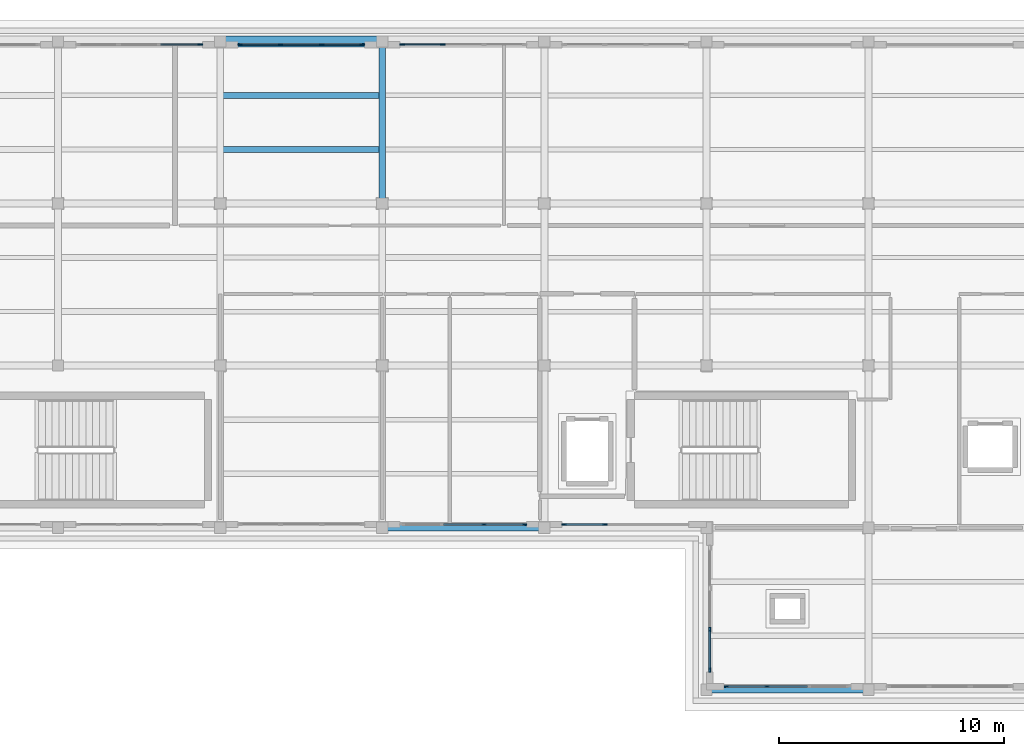
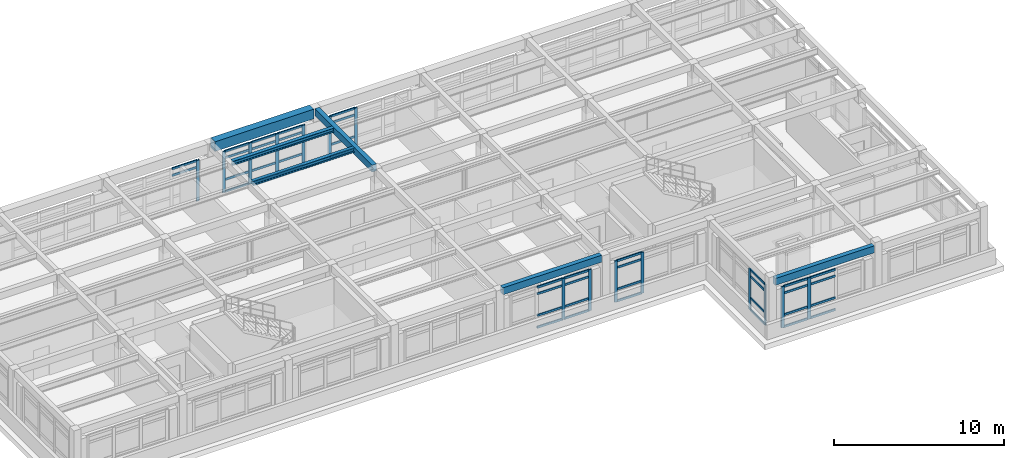
# One storey, part 5 of 18: 57 members, 6 beams, 7 elements without a shape of their own.
"""IFC4 building model written with IfcOpenShell, lengths in metres."""

from ifc_helpers import new_model, si_unit, direction, frame, origin, origin_2d, place, context, subcontext, project, spatial, rectangle, i_section, extrude, material, layer, layer_set, material_profile, profile_set, type_object, element, aggregate, save


model = new_model("IFC4")

# Units and contexts
model_context = context("Model", 3, precision=1e-05, world=origin(), true_north=direction((0.0, 1.0)))
body_context = subcontext(model_context, "Body", "Model", "MODEL_VIEW")
ifc_project = project(units=[si_unit("LENGTHUNIT", "METRE"), si_unit("AREAUNIT", "SQUARE_METRE"), si_unit("VOLUMEUNIT", "CUBIC_METRE"), si_unit("PLANEANGLEUNIT", "RADIAN"), si_unit("MASSUNIT", "GRAM", prefix="KILO")], contexts=[model_context])

# Site, building, storey
site_placement = place(None, origin())
site = spatial("IfcSite", under=ifc_project, at=site_placement, CompositionType="ELEMENT")
building_placement = place(site_placement, origin())
building = spatial("IfcBuilding", under=site, at=building_placement, Name="Solenvale Faculty of Natural Sciences", CompositionType="ELEMENT")
storey_placement = place(building_placement, frame((0.0, 0.0, 43.800048828125)))
storey = spatial("IfcBuildingStorey", under=building, at=storey_placement, Name="L10", CompositionType="ELEMENT", Elevation=43.800048828125)

# Beams
ifc_material_1 = material(Name="Concrete 40 MPa", Category="concrete")
ifc_material_profile_1 = material_profile(ifc_material_1, rectangle(XDim=0.300048828125, YDim=0.5, at=origin_2d()), Name="RC-BM-300x500")
ifc_profile_set_1 = profile_set([ifc_material_profile_1], Name="Concrete 40 MPa")
beam_type_1 = type_object("IfcBeamType", Name="BM-RC-300x500", PredefinedType="BEAM", material=ifc_profile_set_1)
beam_1_placement = place(storey_placement, frame((137.030029296875, 86.39990234375, 3.669921875), z_axis=(1.0, 0.0, 0.0), x_axis=(0.0, 1.0, 0.0)))
element("IfcBeam", 1, at=beam_1_placement, inside=storey, type_object=beam_type_1, Name="L10 X-Girder Y86.4 (136.8..144.0)", PredefinedType="BEAM", context=body_context, shape_type="SweptSolid", body=[
    extrude(rectangle(XDim=0.300048828125, YDim=0.5, at=origin_2d()), origin(), (0.0, 0.0, 1.0), 6.739990234375),
])
beam_2_placement = place(storey_placement, frame((122.6298828125, 93.60009765625, 3.669921875), z_axis=(1.0, 0.0, 0.0), x_axis=(0.0, 1.0, 0.0)))
element("IfcBeam", 2, at=beam_2_placement, inside=storey, type_object=beam_type_1, Name="L10 X-Girder Y93.6 (122.4..129.6)", PredefinedType="BEAM", context=body_context, shape_type="SweptSolid", body=[
    extrude(rectangle(XDim=0.300048828125, YDim=0.5, at=origin_2d()), origin(), (0.0, 0.0, 1.0), 6.740234375),
])
beam_3_placement = place(storey_placement, frame((122.39990234375, 108.22998046875, 3.669921875), z_axis=(0.0, 1.0, 0.0), x_axis=(-1.0, 0.0, 0.0)))
element("IfcBeam", 3, at=beam_3_placement, inside=storey, type_object=beam_type_1, Name="L10 Y-Girder X122.4 (108.0..115.2)", PredefinedType="BEAM", context=body_context, shape_type="SweptSolid", body=[
    extrude(rectangle(XDim=0.300048828125, YDim=0.5, at=origin_2d()), origin(), (0.0, 0.0, 1.0), 6.739990234375),
])
ifc_material_2 = material(Name="Precast concrete 40 MPa", Category="concrete")
ifc_material_profile_2 = material_profile(ifc_material_2, rectangle(XDim=0.5, YDim=0.699951171875, at=origin_2d()), Name="RC-BM-500x700")
ifc_profile_set_2 = profile_set([ifc_material_profile_2], Name="Precast concrete 40 MPa")
beam_type_2 = type_object("IfcBeamType", Name="BM-SPN-PRC-700", PredefinedType="SPANDREL", material=ifc_profile_set_2)
beam_4_placement = place(storey_placement, frame((115.429931640625, 115.199951171875, 3.570068359375), z_axis=(1.0, 0.0, 0.0), x_axis=(0.0, 1.0, 0.0)))
element("IfcBeam", 4, at=beam_4_placement, inside=storey, type_object=beam_type_2, Name="L10 X-Girder Y115.2 (115.2..122.4)", PredefinedType="SPANDREL", context=body_context, shape_type="SweptSolid", body=[
    extrude(rectangle(XDim=0.5, YDim=0.699951171875, at=origin_2d()), origin(), (0.0, 0.0, 1.0), 6.739990234375),
])
ifc_material_3 = material(Name="Steel S355", Category="steel")
ifc_material_profile_3 = material_profile(ifc_material_3, i_section(OverallWidth=0.25390625, OverallDepth=0.305908203125, WebThickness=0.0087890625, FlangeThickness=0.0146484375, FilletRadius=0.014892578125, at=origin_2d()), Name="W310x79")
ifc_profile_set_3 = profile_set([ifc_material_profile_3], Name="Steel S355")
beam_type_3 = type_object("IfcBeamType", Name="BM-STL-W310x79", PredefinedType="JOIST", material=ifc_profile_set_3)
for number, where, z_axis, x_axis, name in (
    (5, (115.330078125, 110.39990234375, 3.766845703125), (1.0, 0.0, 0.0), (0.0, 1.0, 0.0), "L10 Composite Floor Joist (17,16).1"),
    (6, (115.330078125, 112.800048828125, 3.766845703125), (1.0, 0.0, 0.0), (0.0, 1.0, 0.0), "L10 Composite Floor Joist (17,16).2"),
):
    element("IfcBeam", number, at=place(storey_placement, frame(where, z_axis=z_axis, x_axis=x_axis)), inside=storey, type_object=beam_type_3, Name=name, PredefinedType="JOIST", context=body_context, shape_type="SweptSolid", body=[
        extrude(i_section(OverallWidth=0.25390625, OverallDepth=0.305908203125, WebThickness=0.0087890625, FlangeThickness=0.0146484375, FilletRadius=0.014892578125, at=origin_2d()), origin(), (0.0, 0.0, 1.0), 6.93994140625),
    ])

# Curtain wall, members
ifc_material_4 = material(Name="Anodised bronze aluminium", Category="aluminium")
ifc_layer = layer(ifc_material_4, 0.179931640625)
ifc_layer_set = layer_set([ifc_layer], Name="Anodised bronze aluminium")
curtain_wall_type = type_object("IfcCurtainWallType", Name="CW-TWR-MOD", PredefinedType="USERDEFINED", material=ifc_layer_set)
curtain_wall_1_placement = place(storey_placement, origin())
curtain_wall_1 = element("IfcCurtainWall", 7, at=curtain_wall_1_placement, inside=storey, type_object=curtain_wall_type, Name="L10 Curtain Wall CW-L10-P1-E2-B4", ObjectType="UNITISED CURTAIN WALL", PredefinedType="USERDEFINED")
ifc_material_profile_4 = material_profile(ifc_material_4, rectangle(XDim=0.074951171875, YDim=0.2099609375, at=origin_2d()), Name="ALU-MUL-75x210")
ifc_profile_set_4 = profile_set([ifc_material_profile_4], Name="Anodised bronze aluminium")
member_type_1 = type_object("IfcMemberType", Name="CWM-ALU-75x210", PredefinedType="MULLION", material=ifc_profile_set_4)
member_1_placement = place(storey_placement, frame((125.083251953125, 115.0576171875, 0.0), z_axis=(0.0, 0.0, 1.0), x_axis=(0.0, -1.0, 0.0)))
member_1 = element("IfcMember", 8, at=member_1_placement, type_object=member_type_1, Name="CW-04 mullion 3", PredefinedType="MULLION", context=body_context, shape_type="SweptSolid", body=[
    extrude(rectangle(XDim=0.074951171875, YDim=0.2099609375, at=origin_2d()), origin(), (0.0, 0.0, 1.0), 2.9599609375),
])
member_2_placement = place(storey_placement, frame((123.28759765625, 115.0576171875, 0.0), z_axis=(0.0, 0.0, 1.0), x_axis=(0.0, -1.0, 0.0)))
member_2 = element("IfcMember", 9, at=member_2_placement, type_object=member_type_1, Name="CW-04 mullion 4", PredefinedType="MULLION", context=body_context, shape_type="SweptSolid", body=[
    extrude(rectangle(XDim=0.074951171875, YDim=0.2099609375, at=origin_2d()), origin(), (0.0, 0.0, 1.0), 2.9599609375),
])

curtain_wall_2_placement = place(storey_placement, origin())
curtain_wall_2 = element("IfcCurtainWall", 10, at=curtain_wall_2_placement, inside=storey, type_object=curtain_wall_type, Name="L10 Curtain Wall CW-L10-P1-E2-B5", ObjectType="UNITISED CURTAIN WALL", PredefinedType="USERDEFINED")
member_3_placement = place(storey_placement, frame((121.512451171875, 115.0576171875, 0.0), z_axis=(0.0, 0.0, 1.0), x_axis=(0.0, -1.0, 0.0)))
member_3 = element("IfcMember", 11, at=member_3_placement, type_object=member_type_1, Name="CW-04 mullion 1", PredefinedType="MULLION", context=body_context, shape_type="SweptSolid", body=[
    extrude(rectangle(XDim=0.074951171875, YDim=0.2099609375, at=origin_2d()), origin(), (0.0, 0.0, 1.0), 2.9599609375),
])
member_4_placement = place(storey_placement, frame((119.716552734375, 115.0576171875, 0.0), z_axis=(0.0, 0.0, 1.0), x_axis=(0.0, -1.0, 0.0)))
member_4 = element("IfcMember", 12, at=member_4_placement, type_object=member_type_1, Name="CW-04 mullion 2", PredefinedType="MULLION", context=body_context, shape_type="SweptSolid", body=[
    extrude(rectangle(XDim=0.074951171875, YDim=0.2099609375, at=origin_2d()), origin(), (0.0, 0.0, 1.0), 2.9599609375),
])
member_5_placement = place(storey_placement, frame((117.88330078125, 115.0576171875, 0.0), z_axis=(0.0, 0.0, 1.0), x_axis=(0.0, -1.0, 0.0)))
member_5 = element("IfcMember", 13, at=member_5_placement, type_object=member_type_1, Name="CW-04 mullion 3", PredefinedType="MULLION", context=body_context, shape_type="SweptSolid", body=[
    extrude(rectangle(XDim=0.074951171875, YDim=0.2099609375, at=origin_2d()), origin(), (0.0, 0.0, 1.0), 2.9599609375),
])
member_6_placement = place(storey_placement, frame((116.08740234375, 115.0576171875, 0.0), z_axis=(0.0, 0.0, 1.0), x_axis=(0.0, -1.0, 0.0)))
member_6 = element("IfcMember", 14, at=member_6_placement, type_object=member_type_1, Name="CW-04 mullion 4", PredefinedType="MULLION", context=body_context, shape_type="SweptSolid", body=[
    extrude(rectangle(XDim=0.074951171875, YDim=0.2099609375, at=origin_2d()), origin(), (0.0, 0.0, 1.0), 2.9599609375),
])

# Curtain wall, member
curtain_wall_3_placement = place(storey_placement, origin())
curtain_wall_3 = element("IfcCurtainWall", 15, at=curtain_wall_3_placement, inside=storey, type_object=curtain_wall_type, Name="L10 Curtain Wall CW-L10-P1-E2-B6", ObjectType="UNITISED CURTAIN WALL", PredefinedType="USERDEFINED")
member_7_placement = place(storey_placement, frame((114.3125, 115.0576171875, 0.0), z_axis=(0.0, 0.0, 1.0), x_axis=(0.0, -1.0, 0.0)))
member_7 = element("IfcMember", 16, at=member_7_placement, type_object=member_type_1, Name="CW-04 mullion 1", PredefinedType="MULLION", context=body_context, shape_type="SweptSolid", body=[
    extrude(rectangle(XDim=0.074951171875, YDim=0.2099609375, at=origin_2d()), origin(), (0.0, 0.0, 1.0), 2.9599609375),
])

# Curtain wall, members
curtain_wall_4_placement = place(storey_placement, origin())
curtain_wall_4 = element("IfcCurtainWall", 17, at=curtain_wall_4_placement, inside=storey, type_object=curtain_wall_type, Name="L10 Curtain Wall CW-L10-P1-E4-B5", ObjectType="UNITISED CURTAIN WALL", PredefinedType="USERDEFINED")
member_8_placement = place(storey_placement, frame((126.916748046875, 93.742431640625, 0.0), z_axis=(0.0, 0.0, 1.0), x_axis=(0.0, 1.0, 0.0)))
member_8 = element("IfcMember", 18, at=member_8_placement, type_object=member_type_1, Name="CW-04 mullion 3", PredefinedType="MULLION", context=body_context, shape_type="SweptSolid", body=[
    extrude(rectangle(XDim=0.074951171875, YDim=0.2099609375, at=origin_2d()), origin(), (0.0, 0.0, 1.0), 2.9599609375),
])
member_9_placement = place(storey_placement, frame((128.71240234375, 93.742431640625, 0.0), z_axis=(0.0, 0.0, 1.0), x_axis=(0.0, 1.0, 0.0)))
member_9 = element("IfcMember", 19, at=member_9_placement, type_object=member_type_1, Name="CW-04 mullion 4", PredefinedType="MULLION", context=body_context, shape_type="SweptSolid", body=[
    extrude(rectangle(XDim=0.074951171875, YDim=0.2099609375, at=origin_2d()), origin(), (0.0, 0.0, 1.0), 2.9599609375),
])

curtain_wall_5_placement = place(storey_placement, origin())
curtain_wall_5 = element("IfcCurtainWall", 20, at=curtain_wall_5_placement, inside=storey, type_object=curtain_wall_type, Name="L10 Curtain Wall CW-L10-P1-E4-B6", ObjectType="UNITISED CURTAIN WALL", PredefinedType="USERDEFINED")
member_10_placement = place(storey_placement, frame((130.487548828125, 93.742431640625, 0.0), z_axis=(0.0, 0.0, 1.0), x_axis=(0.0, 1.0, 0.0)))
member_10 = element("IfcMember", 21, at=member_10_placement, type_object=member_type_1, Name="CW-04 mullion 1", PredefinedType="MULLION", context=body_context, shape_type="SweptSolid", body=[
    extrude(rectangle(XDim=0.074951171875, YDim=0.2099609375, at=origin_2d()), origin(), (0.0, 0.0, 1.0), 2.9599609375),
])
member_11_placement = place(storey_placement, frame((132.283447265625, 93.742431640625, 0.0), z_axis=(0.0, 0.0, 1.0), x_axis=(0.0, 1.0, 0.0)))
member_11 = element("IfcMember", 22, at=member_11_placement, type_object=member_type_1, Name="CW-04 mullion 2", PredefinedType="MULLION", context=body_context, shape_type="SweptSolid", body=[
    extrude(rectangle(XDim=0.074951171875, YDim=0.2099609375, at=origin_2d()), origin(), (0.0, 0.0, 1.0), 2.9599609375),
])

curtain_wall_6_placement = place(storey_placement, origin())
curtain_wall_6 = element("IfcCurtainWall", 23, at=curtain_wall_6_placement, inside=storey, type_object=curtain_wall_type, Name="L10 Curtain Wall CW-L10-P1-E5-B1", ObjectType="UNITISED CURTAIN WALL", PredefinedType="USERDEFINED")
member_12_placement = place(storey_placement, frame((136.9423828125, 89.083251953125, 0.0), z_axis=(0.0, 0.0, 1.0), x_axis=(1.0, 0.0, 0.0)))
member_12 = element("IfcMember", 24, at=member_12_placement, type_object=member_type_1, Name="CW-04 mullion 3", PredefinedType="MULLION", context=body_context, shape_type="SweptSolid", body=[
    extrude(rectangle(XDim=0.074951171875, YDim=0.2099609375, at=origin_2d()), origin(), (0.0, 0.0, 1.0), 2.9599609375),
])
member_13_placement = place(storey_placement, frame((136.9423828125, 87.28759765625, 0.0), z_axis=(0.0, 0.0, 1.0), x_axis=(1.0, 0.0, 0.0)))
member_13 = element("IfcMember", 25, at=member_13_placement, type_object=member_type_1, Name="CW-04 mullion 4", PredefinedType="MULLION", context=body_context, shape_type="SweptSolid", body=[
    extrude(rectangle(XDim=0.074951171875, YDim=0.2099609375, at=origin_2d()), origin(), (0.0, 0.0, 1.0), 2.9599609375),
])

curtain_wall_7_placement = place(storey_placement, origin())
curtain_wall_7 = element("IfcCurtainWall", 26, at=curtain_wall_7_placement, inside=storey, type_object=curtain_wall_type, Name="L10 Curtain Wall CW-L10-P1-E6-B1", ObjectType="UNITISED CURTAIN WALL", PredefinedType="USERDEFINED")
member_14_placement = place(storey_placement, frame((137.6875, 86.54248046875, 0.0), z_axis=(0.0, 0.0, 1.0), x_axis=(0.0, 1.0, 0.0)))
member_14 = element("IfcMember", 27, at=member_14_placement, type_object=member_type_1, Name="CW-04 mullion 1", PredefinedType="MULLION", context=body_context, shape_type="SweptSolid", body=[
    extrude(rectangle(XDim=0.074951171875, YDim=0.2099609375, at=origin_2d()), origin(), (0.0, 0.0, 1.0), 2.9599609375),
])
member_15_placement = place(storey_placement, frame((139.4833984375, 86.54248046875, 0.0), z_axis=(0.0, 0.0, 1.0), x_axis=(0.0, 1.0, 0.0)))
member_15 = element("IfcMember", 28, at=member_15_placement, type_object=member_type_1, Name="CW-04 mullion 2", PredefinedType="MULLION", context=body_context, shape_type="SweptSolid", body=[
    extrude(rectangle(XDim=0.074951171875, YDim=0.2099609375, at=origin_2d()), origin(), (0.0, 0.0, 1.0), 2.9599609375),
])

# Member
ifc_material_profile_5 = material_profile(ifc_material_4, rectangle(XDim=0.074951171875, YDim=0.155029296875, at=origin_2d()), Name="ALU-TRN-75x155")
ifc_profile_set_5 = profile_set([ifc_material_profile_5], Name="Anodised bronze aluminium")
member_type_2 = type_object("IfcMemberType", Name="CWT-ALU-75x155", PredefinedType="USERDEFINED", material=ifc_profile_set_5)
member_16_placement = place(storey_placement, frame((125.0458984375, 115.0576171875, 0.037353515625), z_axis=(-1.0, 0.0, 0.0), x_axis=(0.0, -1.0, 0.0)))
member_16 = element("IfcMember", 29, at=member_16_placement, type_object=member_type_2, Name="CW-04 transom 3.1", ObjectType="TRANSOM", PredefinedType="USERDEFINED", context=body_context, shape_type="SweptSolid", body=[
    extrude(rectangle(XDim=0.074951171875, YDim=0.155029296875, at=origin_2d()), origin(), (0.0, 0.0, 1.0), 1.720947265625),
])

member_17_placement = place(storey_placement, frame((125.0458984375, 115.0576171875, 0.89990234375), z_axis=(-1.0, 0.0, 0.0), x_axis=(0.0, -1.0, 0.0)))
member_17 = element("IfcMember", 30, at=member_17_placement, type_object=member_type_2, Name="CW-04 transom 3.2", ObjectType="TRANSOM", PredefinedType="USERDEFINED", context=body_context, shape_type="SweptSolid", body=[
    extrude(rectangle(XDim=0.074951171875, YDim=0.155029296875, at=origin_2d()), origin(), (0.0, 0.0, 1.0), 1.720947265625),
])

member_18_placement = place(storey_placement, frame((125.0458984375, 115.0576171875, 2.4599609375), z_axis=(-1.0, 0.0, 0.0), x_axis=(0.0, -1.0, 0.0)))
member_18 = element("IfcMember", 31, at=member_18_placement, type_object=member_type_2, Name="CW-04 transom 3.3", ObjectType="TRANSOM", PredefinedType="USERDEFINED", context=body_context, shape_type="SweptSolid", body=[
    extrude(rectangle(XDim=0.074951171875, YDim=0.155029296875, at=origin_2d()), origin(), (0.0, 0.0, 1.0), 1.720947265625),
])

member_19_placement = place(storey_placement, frame((125.0458984375, 115.0576171875, 2.92236328125), z_axis=(-1.0, 0.0, 0.0), x_axis=(0.0, -1.0, 0.0)))
member_19 = element("IfcMember", 32, at=member_19_placement, type_object=member_type_2, Name="CW-04 transom 3.4", ObjectType="TRANSOM", PredefinedType="USERDEFINED", context=body_context, shape_type="SweptSolid", body=[
    extrude(rectangle(XDim=0.074951171875, YDim=0.155029296875, at=origin_2d()), origin(), (0.0, 0.0, 1.0), 1.720947265625),
])

aggregate(curtain_wall_1, [member_1, member_2, member_16, member_17, member_18, member_19])

member_20_placement = place(storey_placement, frame((121.47509765625, 115.0576171875, 0.037353515625), z_axis=(-1.0, 0.0, 0.0), x_axis=(0.0, -1.0, 0.0)))
member_20 = element("IfcMember", 33, at=member_20_placement, type_object=member_type_2, Name="CW-04 transom 1.1", ObjectType="TRANSOM", PredefinedType="USERDEFINED", context=body_context, shape_type="SweptSolid", body=[
    extrude(rectangle(XDim=0.074951171875, YDim=0.155029296875, at=origin_2d()), origin(), (0.0, 0.0, 1.0), 1.720947265625),
])

member_21_placement = place(storey_placement, frame((121.47509765625, 115.0576171875, 0.89990234375), z_axis=(-1.0, 0.0, 0.0), x_axis=(0.0, -1.0, 0.0)))
member_21 = element("IfcMember", 34, at=member_21_placement, type_object=member_type_2, Name="CW-04 transom 1.2", ObjectType="TRANSOM", PredefinedType="USERDEFINED", context=body_context, shape_type="SweptSolid", body=[
    extrude(rectangle(XDim=0.074951171875, YDim=0.155029296875, at=origin_2d()), origin(), (0.0, 0.0, 1.0), 1.720947265625),
])

member_22_placement = place(storey_placement, frame((121.47509765625, 115.0576171875, 2.4599609375), z_axis=(-1.0, 0.0, 0.0), x_axis=(0.0, -1.0, 0.0)))
member_22 = element("IfcMember", 35, at=member_22_placement, type_object=member_type_2, Name="CW-04 transom 1.3", ObjectType="TRANSOM", PredefinedType="USERDEFINED", context=body_context, shape_type="SweptSolid", body=[
    extrude(rectangle(XDim=0.074951171875, YDim=0.155029296875, at=origin_2d()), origin(), (0.0, 0.0, 1.0), 1.720947265625),
])

member_23_placement = place(storey_placement, frame((121.47509765625, 115.0576171875, 2.92236328125), z_axis=(-1.0, 0.0, 0.0), x_axis=(0.0, -1.0, 0.0)))
member_23 = element("IfcMember", 36, at=member_23_placement, type_object=member_type_2, Name="CW-04 transom 1.4", ObjectType="TRANSOM", PredefinedType="USERDEFINED", context=body_context, shape_type="SweptSolid", body=[
    extrude(rectangle(XDim=0.074951171875, YDim=0.155029296875, at=origin_2d()), origin(), (0.0, 0.0, 1.0), 1.720947265625),
])

member_24_placement = place(storey_placement, frame((119.67919921875, 115.0576171875, 0.037353515625), z_axis=(-1.0, 0.0, 0.0), x_axis=(0.0, -1.0, 0.0)))
member_24 = element("IfcMember", 37, at=member_24_placement, type_object=member_type_2, Name="CW-04 transom 2.1", ObjectType="TRANSOM", PredefinedType="USERDEFINED", context=body_context, shape_type="SweptSolid", body=[
    extrude(rectangle(XDim=0.074951171875, YDim=0.155029296875, at=origin_2d()), origin(), (0.0, 0.0, 1.0), 1.75830078125),
])

member_25_placement = place(storey_placement, frame((119.67919921875, 115.0576171875, 0.89990234375), z_axis=(-1.0, 0.0, 0.0), x_axis=(0.0, -1.0, 0.0)))
member_25 = element("IfcMember", 38, at=member_25_placement, type_object=member_type_2, Name="CW-04 transom 2.2", ObjectType="TRANSOM", PredefinedType="USERDEFINED", context=body_context, shape_type="SweptSolid", body=[
    extrude(rectangle(XDim=0.074951171875, YDim=0.155029296875, at=origin_2d()), origin(), (0.0, 0.0, 1.0), 1.75830078125),
])

member_26_placement = place(storey_placement, frame((119.67919921875, 115.0576171875, 2.4599609375), z_axis=(-1.0, 0.0, 0.0), x_axis=(0.0, -1.0, 0.0)))
member_26 = element("IfcMember", 39, at=member_26_placement, type_object=member_type_2, Name="CW-04 transom 2.3", ObjectType="TRANSOM", PredefinedType="USERDEFINED", context=body_context, shape_type="SweptSolid", body=[
    extrude(rectangle(XDim=0.074951171875, YDim=0.155029296875, at=origin_2d()), origin(), (0.0, 0.0, 1.0), 1.75830078125),
])

member_27_placement = place(storey_placement, frame((119.67919921875, 115.0576171875, 2.92236328125), z_axis=(-1.0, 0.0, 0.0), x_axis=(0.0, -1.0, 0.0)))
member_27 = element("IfcMember", 40, at=member_27_placement, type_object=member_type_2, Name="CW-04 transom 2.4", ObjectType="TRANSOM", PredefinedType="USERDEFINED", context=body_context, shape_type="SweptSolid", body=[
    extrude(rectangle(XDim=0.074951171875, YDim=0.155029296875, at=origin_2d()), origin(), (0.0, 0.0, 1.0), 1.75830078125),
])

member_28_placement = place(storey_placement, frame((117.845947265625, 115.0576171875, 0.037353515625), z_axis=(-1.0, 0.0, 0.0), x_axis=(0.0, -1.0, 0.0)))
member_28 = element("IfcMember", 41, at=member_28_placement, type_object=member_type_2, Name="CW-04 transom 3.1", ObjectType="TRANSOM", PredefinedType="USERDEFINED", context=body_context, shape_type="SweptSolid", body=[
    extrude(rectangle(XDim=0.074951171875, YDim=0.155029296875, at=origin_2d()), origin(), (0.0, 0.0, 1.0), 1.720947265625),
])

member_29_placement = place(storey_placement, frame((117.845947265625, 115.0576171875, 0.89990234375), z_axis=(-1.0, 0.0, 0.0), x_axis=(0.0, -1.0, 0.0)))
member_29 = element("IfcMember", 42, at=member_29_placement, type_object=member_type_2, Name="CW-04 transom 3.2", ObjectType="TRANSOM", PredefinedType="USERDEFINED", context=body_context, shape_type="SweptSolid", body=[
    extrude(rectangle(XDim=0.074951171875, YDim=0.155029296875, at=origin_2d()), origin(), (0.0, 0.0, 1.0), 1.720947265625),
])

member_30_placement = place(storey_placement, frame((117.845947265625, 115.0576171875, 2.4599609375), z_axis=(-1.0, 0.0, 0.0), x_axis=(0.0, -1.0, 0.0)))
member_30 = element("IfcMember", 43, at=member_30_placement, type_object=member_type_2, Name="CW-04 transom 3.3", ObjectType="TRANSOM", PredefinedType="USERDEFINED", context=body_context, shape_type="SweptSolid", body=[
    extrude(rectangle(XDim=0.074951171875, YDim=0.155029296875, at=origin_2d()), origin(), (0.0, 0.0, 1.0), 1.720947265625),
])

member_31_placement = place(storey_placement, frame((117.845947265625, 115.0576171875, 2.92236328125), z_axis=(-1.0, 0.0, 0.0), x_axis=(0.0, -1.0, 0.0)))
member_31 = element("IfcMember", 44, at=member_31_placement, type_object=member_type_2, Name="CW-04 transom 3.4", ObjectType="TRANSOM", PredefinedType="USERDEFINED", context=body_context, shape_type="SweptSolid", body=[
    extrude(rectangle(XDim=0.074951171875, YDim=0.155029296875, at=origin_2d()), origin(), (0.0, 0.0, 1.0), 1.720947265625),
])

aggregate(curtain_wall_2, [member_3, member_4, member_5, member_6, member_20, member_21, member_22, member_23, member_24, member_25, member_26, member_27, member_28, member_29, member_30, member_31])

member_32_placement = place(storey_placement, frame((114.27490234375, 115.0576171875, 2.4599609375), z_axis=(-1.0, 0.0, 0.0), x_axis=(0.0, -1.0, 0.0)))
member_32 = element("IfcMember", 45, at=member_32_placement, type_object=member_type_2, Name="CW-04 transom 1.3", ObjectType="TRANSOM", PredefinedType="USERDEFINED", context=body_context, shape_type="SweptSolid", body=[
    extrude(rectangle(XDim=0.074951171875, YDim=0.155029296875, at=origin_2d()), origin(), (0.0, 0.0, 1.0), 1.720703125),
])

member_33_placement = place(storey_placement, frame((114.27490234375, 115.0576171875, 2.92236328125), z_axis=(-1.0, 0.0, 0.0), x_axis=(0.0, -1.0, 0.0)))
member_33 = element("IfcMember", 46, at=member_33_placement, type_object=member_type_2, Name="CW-04 transom 1.4", ObjectType="TRANSOM", PredefinedType="USERDEFINED", context=body_context, shape_type="SweptSolid", body=[
    extrude(rectangle(XDim=0.074951171875, YDim=0.155029296875, at=origin_2d()), origin(), (0.0, 0.0, 1.0), 1.720703125),
])

aggregate(curtain_wall_3, [member_7, member_32, member_33])

member_34_placement = place(storey_placement, frame((125.120849609375, 93.742431640625, 0.037353515625), z_axis=(1.0, 0.0, 0.0), x_axis=(0.0, 1.0, 0.0)))
member_34 = element("IfcMember", 47, at=member_34_placement, type_object=member_type_2, Name="CW-04 transom 2.1", ObjectType="TRANSOM", PredefinedType="USERDEFINED", context=body_context, shape_type="SweptSolid", body=[
    extrude(rectangle(XDim=0.074951171875, YDim=0.155029296875, at=origin_2d()), origin(), (0.0, 0.0, 1.0), 1.75830078125),
])

member_35_placement = place(storey_placement, frame((125.120849609375, 93.742431640625, 0.89990234375), z_axis=(1.0, 0.0, 0.0), x_axis=(0.0, 1.0, 0.0)))
member_35 = element("IfcMember", 48, at=member_35_placement, type_object=member_type_2, Name="CW-04 transom 2.2", ObjectType="TRANSOM", PredefinedType="USERDEFINED", context=body_context, shape_type="SweptSolid", body=[
    extrude(rectangle(XDim=0.074951171875, YDim=0.155029296875, at=origin_2d()), origin(), (0.0, 0.0, 1.0), 1.75830078125),
])

member_36_placement = place(storey_placement, frame((125.120849609375, 93.742431640625, 2.4599609375), z_axis=(1.0, 0.0, 0.0), x_axis=(0.0, 1.0, 0.0)))
member_36 = element("IfcMember", 49, at=member_36_placement, type_object=member_type_2, Name="CW-04 transom 2.3", ObjectType="TRANSOM", PredefinedType="USERDEFINED", context=body_context, shape_type="SweptSolid", body=[
    extrude(rectangle(XDim=0.074951171875, YDim=0.155029296875, at=origin_2d()), origin(), (0.0, 0.0, 1.0), 1.75830078125),
])

member_37_placement = place(storey_placement, frame((125.120849609375, 93.742431640625, 2.92236328125), z_axis=(1.0, 0.0, 0.0), x_axis=(0.0, 1.0, 0.0)))
member_37 = element("IfcMember", 50, at=member_37_placement, type_object=member_type_2, Name="CW-04 transom 2.4", ObjectType="TRANSOM", PredefinedType="USERDEFINED", context=body_context, shape_type="SweptSolid", body=[
    extrude(rectangle(XDim=0.074951171875, YDim=0.155029296875, at=origin_2d()), origin(), (0.0, 0.0, 1.0), 1.75830078125),
])

member_38_placement = place(storey_placement, frame((126.9541015625, 93.742431640625, 0.037353515625), z_axis=(1.0, 0.0, 0.0), x_axis=(0.0, 1.0, 0.0)))
member_38 = element("IfcMember", 51, at=member_38_placement, type_object=member_type_2, Name="CW-04 transom 3.1", ObjectType="TRANSOM", PredefinedType="USERDEFINED", context=body_context, shape_type="SweptSolid", body=[
    extrude(rectangle(XDim=0.074951171875, YDim=0.155029296875, at=origin_2d()), origin(), (0.0, 0.0, 1.0), 1.720947265625),
])

member_39_placement = place(storey_placement, frame((126.9541015625, 93.742431640625, 0.89990234375), z_axis=(1.0, 0.0, 0.0), x_axis=(0.0, 1.0, 0.0)))
member_39 = element("IfcMember", 52, at=member_39_placement, type_object=member_type_2, Name="CW-04 transom 3.2", ObjectType="TRANSOM", PredefinedType="USERDEFINED", context=body_context, shape_type="SweptSolid", body=[
    extrude(rectangle(XDim=0.074951171875, YDim=0.155029296875, at=origin_2d()), origin(), (0.0, 0.0, 1.0), 1.720947265625),
])

member_40_placement = place(storey_placement, frame((126.9541015625, 93.742431640625, 2.4599609375), z_axis=(1.0, 0.0, 0.0), x_axis=(0.0, 1.0, 0.0)))
member_40 = element("IfcMember", 53, at=member_40_placement, type_object=member_type_2, Name="CW-04 transom 3.3", ObjectType="TRANSOM", PredefinedType="USERDEFINED", context=body_context, shape_type="SweptSolid", body=[
    extrude(rectangle(XDim=0.074951171875, YDim=0.155029296875, at=origin_2d()), origin(), (0.0, 0.0, 1.0), 1.720947265625),
])

member_41_placement = place(storey_placement, frame((126.9541015625, 93.742431640625, 2.92236328125), z_axis=(1.0, 0.0, 0.0), x_axis=(0.0, 1.0, 0.0)))
member_41 = element("IfcMember", 54, at=member_41_placement, type_object=member_type_2, Name="CW-04 transom 3.4", ObjectType="TRANSOM", PredefinedType="USERDEFINED", context=body_context, shape_type="SweptSolid", body=[
    extrude(rectangle(XDim=0.074951171875, YDim=0.155029296875, at=origin_2d()), origin(), (0.0, 0.0, 1.0), 1.720947265625),
])

aggregate(curtain_wall_4, [member_8, member_9, member_34, member_35, member_36, member_37, member_38, member_39, member_40, member_41])

member_42_placement = place(storey_placement, frame((130.52490234375, 93.742431640625, 0.037353515625), z_axis=(1.0, 0.0, 0.0), x_axis=(0.0, 1.0, 0.0)))
member_42 = element("IfcMember", 55, at=member_42_placement, type_object=member_type_2, Name="CW-04 transom 1.1", ObjectType="TRANSOM", PredefinedType="USERDEFINED", context=body_context, shape_type="SweptSolid", body=[
    extrude(rectangle(XDim=0.074951171875, YDim=0.155029296875, at=origin_2d()), origin(), (0.0, 0.0, 1.0), 1.720947265625),
])

member_43_placement = place(storey_placement, frame((130.52490234375, 93.742431640625, 0.89990234375), z_axis=(1.0, 0.0, 0.0), x_axis=(0.0, 1.0, 0.0)))
member_43 = element("IfcMember", 56, at=member_43_placement, type_object=member_type_2, Name="CW-04 transom 1.2", ObjectType="TRANSOM", PredefinedType="USERDEFINED", context=body_context, shape_type="SweptSolid", body=[
    extrude(rectangle(XDim=0.074951171875, YDim=0.155029296875, at=origin_2d()), origin(), (0.0, 0.0, 1.0), 1.720947265625),
])

member_44_placement = place(storey_placement, frame((130.52490234375, 93.742431640625, 2.4599609375), z_axis=(1.0, 0.0, 0.0), x_axis=(0.0, 1.0, 0.0)))
member_44 = element("IfcMember", 57, at=member_44_placement, type_object=member_type_2, Name="CW-04 transom 1.3", ObjectType="TRANSOM", PredefinedType="USERDEFINED", context=body_context, shape_type="SweptSolid", body=[
    extrude(rectangle(XDim=0.074951171875, YDim=0.155029296875, at=origin_2d()), origin(), (0.0, 0.0, 1.0), 1.720947265625),
])

member_45_placement = place(storey_placement, frame((130.52490234375, 93.742431640625, 2.92236328125), z_axis=(1.0, 0.0, 0.0), x_axis=(0.0, 1.0, 0.0)))
member_45 = element("IfcMember", 58, at=member_45_placement, type_object=member_type_2, Name="CW-04 transom 1.4", ObjectType="TRANSOM", PredefinedType="USERDEFINED", context=body_context, shape_type="SweptSolid", body=[
    extrude(rectangle(XDim=0.074951171875, YDim=0.155029296875, at=origin_2d()), origin(), (0.0, 0.0, 1.0), 1.720947265625),
])

aggregate(curtain_wall_5, [member_10, member_11, member_42, member_43, member_44, member_45])

member_46_placement = place(storey_placement, frame((136.9423828125, 89.0458984375, 0.037353515625), z_axis=(0.0, -1.0, 0.0), x_axis=(1.0, 0.0, 0.0)))
member_46 = element("IfcMember", 59, at=member_46_placement, type_object=member_type_2, Name="CW-04 transom 3.1", ObjectType="TRANSOM", PredefinedType="USERDEFINED", context=body_context, shape_type="SweptSolid", body=[
    extrude(rectangle(XDim=0.074951171875, YDim=0.155029296875, at=origin_2d()), origin(), (0.0, 0.0, 1.0), 1.720947265625),
])

member_47_placement = place(storey_placement, frame((136.9423828125, 89.0458984375, 0.89990234375), z_axis=(0.0, -1.0, 0.0), x_axis=(1.0, 0.0, 0.0)))
member_47 = element("IfcMember", 60, at=member_47_placement, type_object=member_type_2, Name="CW-04 transom 3.2", ObjectType="TRANSOM", PredefinedType="USERDEFINED", context=body_context, shape_type="SweptSolid", body=[
    extrude(rectangle(XDim=0.074951171875, YDim=0.155029296875, at=origin_2d()), origin(), (0.0, 0.0, 1.0), 1.720947265625),
])

member_48_placement = place(storey_placement, frame((136.9423828125, 89.0458984375, 2.4599609375), z_axis=(0.0, -1.0, 0.0), x_axis=(1.0, 0.0, 0.0)))
member_48 = element("IfcMember", 61, at=member_48_placement, type_object=member_type_2, Name="CW-04 transom 3.3", ObjectType="TRANSOM", PredefinedType="USERDEFINED", context=body_context, shape_type="SweptSolid", body=[
    extrude(rectangle(XDim=0.074951171875, YDim=0.155029296875, at=origin_2d()), origin(), (0.0, 0.0, 1.0), 1.720947265625),
])

member_49_placement = place(storey_placement, frame((136.9423828125, 89.0458984375, 2.92236328125), z_axis=(0.0, -1.0, 0.0), x_axis=(1.0, 0.0, 0.0)))
member_49 = element("IfcMember", 62, at=member_49_placement, type_object=member_type_2, Name="CW-04 transom 3.4", ObjectType="TRANSOM", PredefinedType="USERDEFINED", context=body_context, shape_type="SweptSolid", body=[
    extrude(rectangle(XDim=0.074951171875, YDim=0.155029296875, at=origin_2d()), origin(), (0.0, 0.0, 1.0), 1.720947265625),
])

aggregate(curtain_wall_6, [member_12, member_13, member_46, member_47, member_48, member_49])

member_50_placement = place(storey_placement, frame((137.72509765625, 86.54248046875, 0.037353515625), z_axis=(1.0, 0.0, 0.0), x_axis=(0.0, 1.0, 0.0)))
member_50 = element("IfcMember", 63, at=member_50_placement, type_object=member_type_2, Name="CW-04 transom 1.1", ObjectType="TRANSOM", PredefinedType="USERDEFINED", context=body_context, shape_type="SweptSolid", body=[
    extrude(rectangle(XDim=0.074951171875, YDim=0.155029296875, at=origin_2d()), origin(), (0.0, 0.0, 1.0), 1.720703125),
])

member_51_placement = place(storey_placement, frame((137.72509765625, 86.54248046875, 0.89990234375), z_axis=(1.0, 0.0, 0.0), x_axis=(0.0, 1.0, 0.0)))
member_51 = element("IfcMember", 64, at=member_51_placement, type_object=member_type_2, Name="CW-04 transom 1.2", ObjectType="TRANSOM", PredefinedType="USERDEFINED", context=body_context, shape_type="SweptSolid", body=[
    extrude(rectangle(XDim=0.074951171875, YDim=0.155029296875, at=origin_2d()), origin(), (0.0, 0.0, 1.0), 1.720703125),
])

member_52_placement = place(storey_placement, frame((137.72509765625, 86.54248046875, 2.4599609375), z_axis=(1.0, 0.0, 0.0), x_axis=(0.0, 1.0, 0.0)))
member_52 = element("IfcMember", 65, at=member_52_placement, type_object=member_type_2, Name="CW-04 transom 1.3", ObjectType="TRANSOM", PredefinedType="USERDEFINED", context=body_context, shape_type="SweptSolid", body=[
    extrude(rectangle(XDim=0.074951171875, YDim=0.155029296875, at=origin_2d()), origin(), (0.0, 0.0, 1.0), 1.720703125),
])

member_53_placement = place(storey_placement, frame((137.72509765625, 86.54248046875, 2.92236328125), z_axis=(1.0, 0.0, 0.0), x_axis=(0.0, 1.0, 0.0)))
member_53 = element("IfcMember", 66, at=member_53_placement, type_object=member_type_2, Name="CW-04 transom 1.4", ObjectType="TRANSOM", PredefinedType="USERDEFINED", context=body_context, shape_type="SweptSolid", body=[
    extrude(rectangle(XDim=0.074951171875, YDim=0.155029296875, at=origin_2d()), origin(), (0.0, 0.0, 1.0), 1.720703125),
])

member_54_placement = place(storey_placement, frame((139.520751953125, 86.54248046875, 0.037353515625), z_axis=(1.0, 0.0, 0.0), x_axis=(0.0, 1.0, 0.0)))
member_54 = element("IfcMember", 67, at=member_54_placement, type_object=member_type_2, Name="CW-04 transom 2.1", ObjectType="TRANSOM", PredefinedType="USERDEFINED", context=body_context, shape_type="SweptSolid", body=[
    extrude(rectangle(XDim=0.074951171875, YDim=0.155029296875, at=origin_2d()), origin(), (0.0, 0.0, 1.0), 1.75830078125),
])

member_55_placement = place(storey_placement, frame((139.520751953125, 86.54248046875, 0.89990234375), z_axis=(1.0, 0.0, 0.0), x_axis=(0.0, 1.0, 0.0)))
member_55 = element("IfcMember", 68, at=member_55_placement, type_object=member_type_2, Name="CW-04 transom 2.2", ObjectType="TRANSOM", PredefinedType="USERDEFINED", context=body_context, shape_type="SweptSolid", body=[
    extrude(rectangle(XDim=0.074951171875, YDim=0.155029296875, at=origin_2d()), origin(), (0.0, 0.0, 1.0), 1.75830078125),
])

member_56_placement = place(storey_placement, frame((139.520751953125, 86.54248046875, 2.4599609375), z_axis=(1.0, 0.0, 0.0), x_axis=(0.0, 1.0, 0.0)))
member_56 = element("IfcMember", 69, at=member_56_placement, type_object=member_type_2, Name="CW-04 transom 2.3", ObjectType="TRANSOM", PredefinedType="USERDEFINED", context=body_context, shape_type="SweptSolid", body=[
    extrude(rectangle(XDim=0.074951171875, YDim=0.155029296875, at=origin_2d()), origin(), (0.0, 0.0, 1.0), 1.75830078125),
])

member_57_placement = place(storey_placement, frame((139.520751953125, 86.54248046875, 2.92236328125), z_axis=(1.0, 0.0, 0.0), x_axis=(0.0, 1.0, 0.0)))
member_57 = element("IfcMember", 70, at=member_57_placement, type_object=member_type_2, Name="CW-04 transom 2.4", ObjectType="TRANSOM", PredefinedType="USERDEFINED", context=body_context, shape_type="SweptSolid", body=[
    extrude(rectangle(XDim=0.074951171875, YDim=0.155029296875, at=origin_2d()), origin(), (0.0, 0.0, 1.0), 1.75830078125),
])

aggregate(curtain_wall_7, [member_14, member_15, member_50, member_51, member_52, member_53, member_54, member_55, member_56, member_57])

save(model, "model.ifc")
